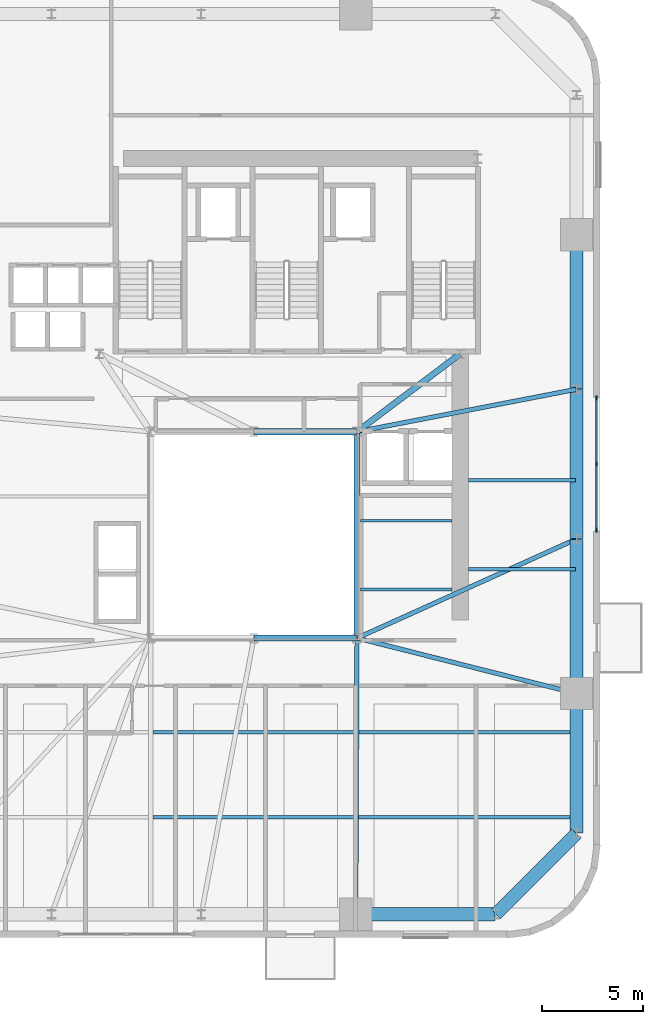
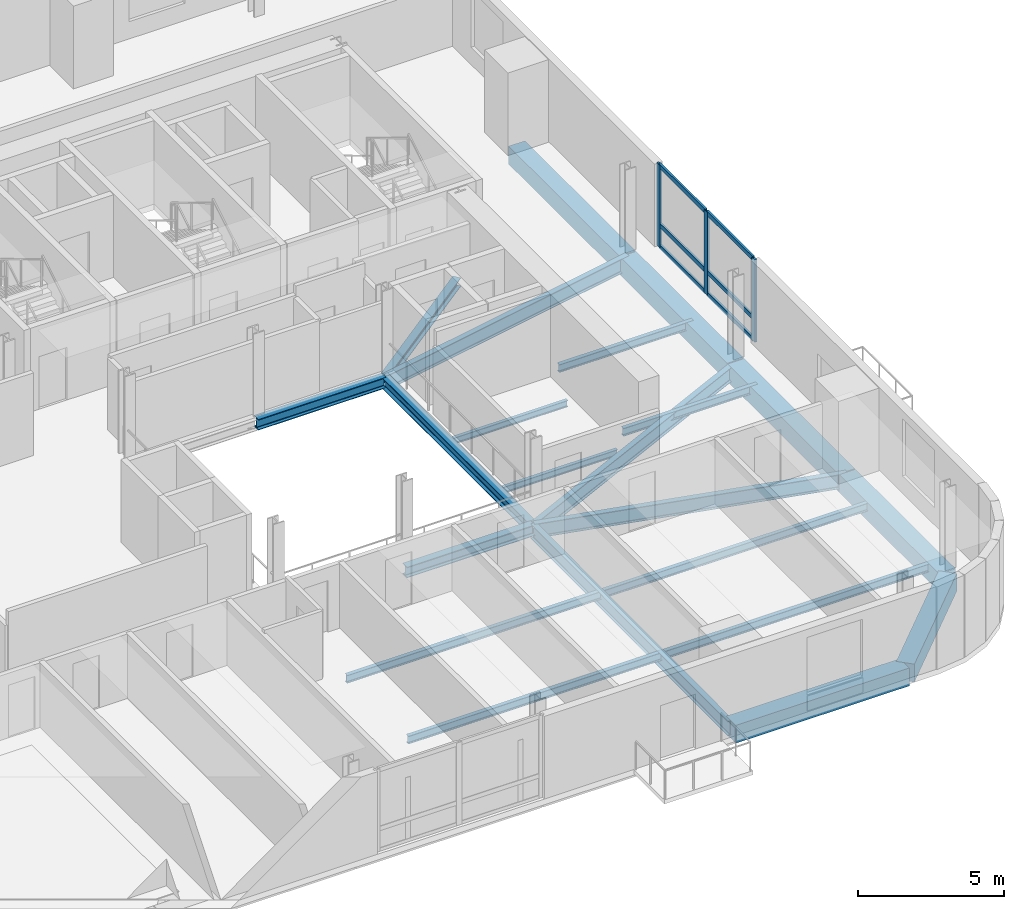
# One storey, part 3 of 14: 20 beams, 9 members, 1 element without a shape of its own.
"""IFC4 building model written with IfcOpenShell, lengths in metres."""

from ifc_helpers import new_model, si_unit, direction, frame, origin, origin_2d, place, context, subcontext, project, spatial, rectangle, i_section, extrude, source, transform, mapped, material, material_profile, profile_set, type_object, element, aggregate, save


model = new_model("IFC4")

# Units and contexts
model_context = context("Model", 3, precision=1e-05, world=origin(), true_north=direction((0.0, 1.0)))
body_context = subcontext(model_context, "Body", "Model", "MODEL_VIEW")
ifc_project = project(units=[si_unit("LENGTHUNIT", "METRE"), si_unit("AREAUNIT", "SQUARE_METRE"), si_unit("VOLUMEUNIT", "CUBIC_METRE"), si_unit("PLANEANGLEUNIT", "RADIAN"), si_unit("MASSUNIT", "GRAM", prefix="KILO")], contexts=[model_context])

# Site, building, storey
site_placement = place(None, origin())
site = spatial("IfcSite", under=ifc_project, at=site_placement, CompositionType="ELEMENT")
building_placement = place(site_placement, origin())
building = spatial("IfcBuilding", under=site, at=building_placement, Name="Vardaveli Station Tower", CompositionType="ELEMENT")
storey_placement = place(building_placement, frame((0.0, 0.0, 129.800048828125)))
storey = spatial("IfcBuildingStorey", under=building, at=storey_placement, Name="L33", CompositionType="ELEMENT", Elevation=129.800048828125)

# Beams
ifc_material_1 = material(Name="Structural steel S355J2", Category="steel")
ifc_material_profile_1 = material_profile(ifc_material_1, i_section(OverallWidth=0.300048828125, OverallDepth=0.449951171875, WebThickness=0.013916015625, FlangeThickness=0.02587890625, FilletRadius=0.027099609375, at=origin_2d()), Name="HEB 450")
ifc_profile_set_1 = profile_set([ifc_material_profile_1], Name="Structural steel S355J2")
beam_type_1 = type_object("IfcBeamType", Name="BM-HEB450", PredefinedType="BEAM", material=ifc_profile_set_1)
shared_shape_1 = source(origin(), body_context, "Body", "SweptSolid", [
    extrude(i_section(OverallWidth=0.300048828125, OverallDepth=0.449951171875, WebThickness=0.013916015625, FlangeThickness=0.02587890625, FilletRadius=0.027099609375, at=origin_2d()), origin(), (0.0, 0.0, 1.0), 5.059814453125),
])
for number, where, z_axis, x_axis, name in (
    (1, (36.320068359375, 16.60009765625, -0.465087890625), (1.0, 0.0, 0.0), (0.0, 1.0, 0.0), "ABM-L33-02"),
    (2, (41.3798828125, 26.800048828125, -0.465087890625), (-1.0, 0.0, 0.0), (0.0, -1.0, 0.0), "ABM-L33-04"),
):
    element("IfcBeam", number, at=place(storey_placement, frame(where, z_axis=z_axis, x_axis=x_axis)), inside=storey, type_object=beam_type_1, Name=name, PredefinedType="BEAM", context=body_context, shape_type="MappedRepresentation", body=[
        mapped(shared_shape_1, transform((0.0, 0.0, 0.0), scale=1.0)),
    ])
shared_shape_2 = source(origin(), body_context, "Body", "SweptSolid", [
    extrude(i_section(OverallWidth=0.300048828125, OverallDepth=0.449951171875, WebThickness=0.013916015625, FlangeThickness=0.02587890625, FilletRadius=0.027099609375, at=origin_2d()), origin(), (0.0, 0.0, 1.0), 10.159912109375),
])
beam_1_placement = place(storey_placement, frame((41.39990234375, 16.6201171875, -0.465087890625), z_axis=(0.0, 1.0, 0.0), x_axis=(-1.0, 0.0, 0.0)))
element("IfcBeam", 3, at=beam_1_placement, inside=storey, type_object=beam_type_1, Name="ABM-L33-03", PredefinedType="BEAM", context=body_context, shape_type="MappedRepresentation", body=[
    mapped(shared_shape_2, transform((0.0, 0.0, 0.0), scale=1.0)),
])
ifc_material_profile_2 = material_profile(ifc_material_1, i_section(OverallWidth=0.300048828125, OverallDepth=0.360107421875, WebThickness=0.012451171875, FlangeThickness=0.0224609375, FilletRadius=0.027099609375, at=origin_2d()), Name="HEB 360")
ifc_profile_set_2 = profile_set([ifc_material_profile_2], Name="Structural steel S355J2")
beam_type_2 = type_object("IfcBeamType", Name="BM-HEB360", PredefinedType="BEAM", material=ifc_profile_set_2)
shared_shape_3 = source(origin(), body_context, "Body", "SweptSolid", [
    extrude(i_section(OverallWidth=0.300048828125, OverallDepth=0.360107421875, WebThickness=0.012451171875, FlangeThickness=0.0224609375, FilletRadius=0.027099609375, at=origin_2d()), origin(), (0.0, 0.0, 1.0), 6.35009765625),
])
beam_2_placement = place(storey_placement, frame((41.416015625, 26.81201171875, -0.420166015625), z_axis=(0.798118337722, 0.602500721154, 0.0), x_axis=(-0.602500721154, 0.798118337722, 0.0)))
element("IfcBeam", 4, at=beam_2_placement, inside=storey, type_object=beam_type_2, Name="CBM-L33-02", PredefinedType="BEAM", context=body_context, shape_type="MappedRepresentation", body=[
    mapped(shared_shape_3, transform((0.0, 0.0, 0.0), scale=1.0)),
])
ifc_material_2 = material(Name="Precast concrete C45/55", Category="concrete")
ifc_material_profile_3 = material_profile(ifc_material_2, rectangle(XDim=0.64990234375, YDim=0.75, at=origin_2d()), Name="LPB 650x750")
ifc_profile_set_3 = profile_set([ifc_material_profile_3], Name="Precast concrete C45/55")
beam_type_3 = type_object("IfcBeamType", Name="BM-LPB-750", PredefinedType="BEAM", material=ifc_profile_set_3)
shared_shape_4 = source(origin(), body_context, "Body", "SweptSolid", [
    extrude(rectangle(XDim=0.64990234375, YDim=0.75, at=origin_2d()), origin(), (0.0, 0.0, 1.0), 7.60009765625),
])
for number, where, z_axis, x_axis, name in (
    (5, (52.25, 13.8798828125, -0.614990234375), (0.0, 1.0, 0.0), (-1.0, 0.0, 0.0), "RBM-L33-07"),
    (6, (52.25, 28.919921875, -0.614990234375), (0.0, 1.0, 0.0), (-1.0, 0.0, 0.0), "RBM-L33-09"),
):
    element("IfcBeam", number, at=place(storey_placement, frame(where, z_axis=z_axis, x_axis=x_axis)), inside=storey, type_object=beam_type_3, Name=name, PredefinedType="BEAM", context=body_context, shape_type="MappedRepresentation", body=[
        mapped(shared_shape_4, transform((0.0, 0.0, 0.0), scale=1.0)),
    ])
shared_shape_5 = source(origin(), body_context, "Body", "SweptSolid", [
    extrude(rectangle(XDim=0.64990234375, YDim=0.75, at=origin_2d()), origin(), (0.0, 0.0, 1.0), 7.35986328125),
])
beam_3_placement = place(storey_placement, frame((52.25, 21.52001953125, -0.614990234375), z_axis=(0.0, 1.0, 0.0), x_axis=(-1.0, 0.0, 0.0)))
element("IfcBeam", 7, at=beam_3_placement, inside=storey, type_object=beam_type_3, Name="RBM-L33-08", PredefinedType="BEAM", context=body_context, shape_type="MappedRepresentation", body=[
    mapped(shared_shape_5, transform((0.0, 0.0, 0.0), scale=1.0)),
])
shared_shape_6 = source(origin(), body_context, "Body", "SweptSolid", [
    extrude(rectangle(XDim=0.64990234375, YDim=0.75, at=origin_2d()), origin(), (0.0, 0.0, 1.0), 6.869873046875),
])
beam_4_placement = place(storey_placement, frame((41.360107421875, 2.949951171875, -0.614990234375), z_axis=(1.0, 0.0, 0.0), x_axis=(0.0, 1.0, 0.0)))
element("IfcBeam", 8, at=beam_4_placement, inside=storey, type_object=beam_type_3, Name="RBM-L33-04", PredefinedType="BEAM", context=body_context, shape_type="MappedRepresentation", body=[
    mapped(shared_shape_6, transform((0.0, 0.0, 0.0), scale=1.0)),
])
shared_shape_7 = source(origin(), body_context, "Body", "SweptSolid", [
    extrude(rectangle(XDim=0.64990234375, YDim=0.75, at=origin_2d()), origin(), (0.0, 0.0, 1.0), 5.61669921875),
])
beam_5_placement = place(storey_placement, frame((48.26416015625, 2.964111328125, -0.614990234375), z_axis=(0.707106781187, 0.707106781187, 0.0), x_axis=(-0.707106781187, 0.707106781187, 0.0)))
element("IfcBeam", 9, at=beam_5_placement, inside=storey, type_object=beam_type_3, Name="RBM-L33-05", PredefinedType="BEAM", context=body_context, shape_type="MappedRepresentation", body=[
    mapped(shared_shape_7, transform((0.0, 0.0, 0.0), scale=1.0)),
])
shared_shape_8 = source(origin(), body_context, "Body", "SweptSolid", [
    extrude(rectangle(XDim=0.64990234375, YDim=0.75, at=origin_2d()), origin(), (0.0, 0.0, 1.0), 6.8701171875),
])
beam_6_placement = place(storey_placement, frame((52.25, 6.969970703125, -0.614990234375), z_axis=(0.0, 1.0, 0.0), x_axis=(-1.0, 0.0, 0.0)))
element("IfcBeam", 10, at=beam_6_placement, inside=storey, type_object=beam_type_3, Name="RBM-L33-06", PredefinedType="BEAM", context=body_context, shape_type="MappedRepresentation", body=[
    mapped(shared_shape_8, transform((0.0, 0.0, 0.0), scale=1.0)),
])
ifc_material_profile_4 = material_profile(ifc_material_1, i_section(OverallWidth=0.159912109375, OverallDepth=0.330078125, WebThickness=0.007568359375, FlangeThickness=0.011474609375, FilletRadius=0.01806640625, at=origin_2d()), Name="IPE 330")
ifc_profile_set_4 = profile_set([ifc_material_profile_4], Name="Structural steel S355J2")
beam_type_4 = type_object("IfcBeamType", Name="BM-IPE330", PredefinedType="JOIST", material=ifc_profile_set_4)
shared_shape_9 = source(origin(), body_context, "Body", "SweptSolid", [
    extrude(i_section(OverallWidth=0.159912109375, OverallDepth=0.330078125, WebThickness=0.007568359375, FlangeThickness=0.011474609375, FilletRadius=0.01806640625, at=origin_2d()), origin(), (0.0, 0.0, 1.0), 20.89794921875),
])
for number, where, z_axis, x_axis, name in (
    (11, (31.31201171875, 7.75, -0.405029296875), (1.0, 0.0, 0.0), (0.0, 1.0, 0.0), "SJ-L33-S02"),
    (12, (31.31201171875, 11.949951171875, -0.405029296875), (1.0, 0.0, 0.0), (0.0, 1.0, 0.0), "SJ-L33-S04"),
):
    element("IfcBeam", number, at=place(storey_placement, frame(where, z_axis=z_axis, x_axis=x_axis)), inside=storey, type_object=beam_type_4, Name=name, PredefinedType="JOIST", context=body_context, shape_type="MappedRepresentation", body=[
        mapped(shared_shape_9, transform((0.0, 0.0, 0.0), scale=1.0)),
    ])
shared_shape_10 = source(origin(), body_context, "Body", "SweptSolid", [
    extrude(i_section(OverallWidth=0.159912109375, OverallDepth=0.330078125, WebThickness=0.007568359375, FlangeThickness=0.011474609375, FilletRadius=0.01806640625, at=origin_2d()), origin(), (0.0, 0.0, 1.0), 5.304931640625),
])
for number, where, z_axis, x_axis, name in (
    (13, (46.905029296875, 20.0, -0.405029296875), (1.0, 0.0, 0.0), (0.0, 1.0, 0.0), "SJ-L33-E07"),
    (14, (46.905029296875, 24.39990234375, -0.405029296875), (1.0, 0.0, 0.0), (0.0, 1.0, 0.0), "SJ-L33-E08"),
):
    element("IfcBeam", number, at=place(storey_placement, frame(where, z_axis=z_axis, x_axis=x_axis)), inside=storey, type_object=beam_type_4, Name=name, PredefinedType="JOIST", context=body_context, shape_type="MappedRepresentation", body=[
        mapped(shared_shape_10, transform((0.0, 0.0, 0.0), scale=1.0)),
    ])
ifc_material_profile_5 = material_profile(ifc_material_1, i_section(OverallWidth=0.135009765625, OverallDepth=0.27001953125, WebThickness=0.006591796875, FlangeThickness=0.01025390625, FilletRadius=0.014892578125, at=origin_2d()), Name="IPE 270")
ifc_profile_set_5 = profile_set([ifc_material_profile_5], Name="Structural steel S355J2")
beam_type_5 = type_object("IfcBeamType", Name="BM-IPE270", PredefinedType="BEAM", material=ifc_profile_set_5)
shared_shape_11 = source(origin(), body_context, "Body", "SweptSolid", [
    extrude(i_section(OverallWidth=0.135009765625, OverallDepth=0.27001953125, WebThickness=0.006591796875, FlangeThickness=0.01025390625, FilletRadius=0.014892578125, at=origin_2d()), origin(), (0.0, 0.0, 1.0), 4.530029296875),
])
for number, where, z_axis, x_axis, name in (
    (15, (41.56494140625, 19.0, -0.375), (1.0, 0.0, 0.0), (0.0, 1.0, 0.0), "TJ-L33-01"),
    (16, (41.56494140625, 22.39990234375, -0.375), (1.0, 0.0, 0.0), (0.0, 1.0, 0.0), "TJ-L33-02"),
):
    element("IfcBeam", number, at=place(storey_placement, frame(where, z_axis=z_axis, x_axis=x_axis)), inside=storey, type_object=beam_type_5, Name=name, PredefinedType="BEAM", context=body_context, shape_type="MappedRepresentation", body=[
        mapped(shared_shape_11, transform((0.0, 0.0, 0.0), scale=1.0)),
    ])
ifc_material_profile_6 = material_profile(ifc_material_1, i_section(OverallWidth=0.219970703125, OverallDepth=0.60009765625, WebThickness=0.011962890625, FlangeThickness=0.01904296875, FilletRadius=0.02392578125, at=origin_2d()), Name="IPE 600")
ifc_profile_set_6 = profile_set([ifc_material_profile_6], Name="Structural steel S355J2")
beam_type_6 = type_object("IfcBeamType", Name="BM-IPE600", PredefinedType="BEAM", material=ifc_profile_set_6)
shared_shape_12 = source(origin(), body_context, "Body", "SweptSolid", [
    extrude(i_section(OverallWidth=0.219970703125, OverallDepth=0.60009765625, WebThickness=0.011962890625, FlangeThickness=0.01904296875, FilletRadius=0.02392578125, at=origin_2d()), origin(), (0.0, 0.0, 1.0), 13.6103515625),
])
beam_7_placement = place(storey_placement, frame((41.340087890625, 2.969970703125, -0.5400390625), z_axis=(0.004394812886, 0.999990342763, 0.0), x_axis=(-0.999990342763, 0.004394812886, 0.0)))
element("IfcBeam", 17, at=beam_7_placement, inside=storey, type_object=beam_type_6, Name="GBM-L33-04", PredefinedType="BEAM", context=body_context, shape_type="MappedRepresentation", body=[
    mapped(shared_shape_12, transform((0.0, 0.0, 0.0), scale=1.0)),
])
shared_shape_13 = source(origin(), body_context, "Body", "SweptSolid", [
    extrude(i_section(OverallWidth=0.219970703125, OverallDepth=0.60009765625, WebThickness=0.011962890625, FlangeThickness=0.01904296875, FilletRadius=0.02392578125, at=origin_2d()), origin(), (0.0, 0.0, 1.0), 11.150634765625),
])
beam_8_placement = place(storey_placement, frame((52.230712890625, 13.864990234375, -0.5400390625), z_axis=(-0.969561465826, 0.244848042642, 0.0), x_axis=(-0.244848042642, -0.969561465826, 0.0)))
element("IfcBeam", 18, at=beam_8_placement, inside=storey, type_object=beam_type_6, Name="GBM-L33-05", PredefinedType="BEAM", context=body_context, shape_type="MappedRepresentation", body=[
    mapped(shared_shape_13, transform((0.0, 0.0, 0.0), scale=1.0)),
])
shared_shape_14 = source(origin(), body_context, "Body", "SweptSolid", [
    extrude(i_section(OverallWidth=0.219970703125, OverallDepth=0.60009765625, WebThickness=0.011962890625, FlangeThickness=0.01904296875, FilletRadius=0.02392578125, at=origin_2d()), origin(), (0.0, 0.0, 1.0), 11.864990234375),
])
beam_9_placement = place(storey_placement, frame((52.231689453125, 21.49169921875, -0.5400390625), z_axis=(-0.911369354756, -0.411589478985, 0.0), x_axis=(0.411589478985, -0.911369354756, 0.0)))
element("IfcBeam", 19, at=beam_9_placement, inside=storey, type_object=beam_type_6, Name="GBM-L33-06", PredefinedType="BEAM", context=body_context, shape_type="MappedRepresentation", body=[
    mapped(shared_shape_14, transform((0.0, 0.0, 0.0), scale=1.0)),
])
shared_shape_15 = source(origin(), body_context, "Body", "SweptSolid", [
    extrude(i_section(OverallWidth=0.219970703125, OverallDepth=0.60009765625, WebThickness=0.011962890625, FlangeThickness=0.01904296875, FilletRadius=0.02392578125, at=origin_2d()), origin(), (0.0, 0.0, 1.0), 11.011474609375),
])
beam_10_placement = place(storey_placement, frame((52.23046875, 28.896240234375, -0.5400390625), z_axis=(-0.981777849093, -0.190032247343, 0.0), x_axis=(0.190032247343, -0.981777849093, 0.0)))
element("IfcBeam", 20, at=beam_10_placement, inside=storey, type_object=beam_type_6, Name="GBM-L33-07", PredefinedType="BEAM", context=body_context, shape_type="MappedRepresentation", body=[
    mapped(shared_shape_15, transform((0.0, 0.0, 0.0), scale=1.0)),
])

# Curtain wall, members
ifc_material_3 = material(Name="Travertine stone and solar-control glass", Category="masonry")
curtain_wall_type = type_object("IfcCurtainWallType", Name="CW-SYS-2", PredefinedType="NOTDEFINED", material=ifc_material_3)
curtain_wall_placement = place(storey_placement, origin())
curtain_wall = element("IfcCurtainWall", 21, at=curtain_wall_placement, inside=storey, type_object=curtain_wall_type, Name="CW-L33-E", PredefinedType="NOTDEFINED")
ifc_material_4 = material(Name="Anodised aluminium alloy 6063-T6", Category="aluminium")
ifc_material_profile_7 = material_profile(ifc_material_4, rectangle(XDim=0.0849609375, YDim=0.179931640625, at=origin_2d()), Name="CWT 85x180")
ifc_profile_set_7 = profile_set([ifc_material_profile_7], Name="Anodised aluminium alloy 6063-T6")
member_type_1 = type_object("IfcMemberType", Name="CW-SYS-2-TRAN", PredefinedType="NOTDEFINED", material=ifc_profile_set_7)
shared_shape_16 = source(origin(), body_context, "Body", "SweptSolid", [
    extrude(rectangle(XDim=0.0849609375, YDim=0.179931640625, at=origin_2d()), origin(), (0.0, 0.0, 1.0), 3.172607421875),
])
member_1_placement = place(storey_placement, frame((53.239990234375, 25.242431640625, 0.04248046875), z_axis=(0.0, 1.0, 0.0), x_axis=(-1.0, 0.0, 0.0)))
member_1 = element("IfcMember", 22, at=member_1_placement, type_object=member_type_1, Name="CW-2 transom 2.1", ObjectType="TRANSOM", PredefinedType="USERDEFINED", context=body_context, shape_type="MappedRepresentation", body=[
    mapped(shared_shape_16, transform((0.0, 0.0, 0.0), scale=1.0)),
])
member_2_placement = place(storey_placement, frame((53.239990234375, 25.242431640625, 0.949951171875), z_axis=(0.0, 1.0, 0.0), x_axis=(-1.0, 0.0, 0.0)))
member_2 = element("IfcMember", 23, at=member_2_placement, type_object=member_type_1, Name="CW-2 transom 2.2", ObjectType="TRANSOM", PredefinedType="USERDEFINED", context=body_context, shape_type="MappedRepresentation", body=[
    mapped(shared_shape_16, transform((0.0, 0.0, 0.0), scale=1.0)),
])
member_3_placement = place(storey_placement, frame((53.239990234375, 25.242431640625, 3.41748046875), z_axis=(0.0, 1.0, 0.0), x_axis=(-1.0, 0.0, 0.0)))
member_3 = element("IfcMember", 24, at=member_3_placement, type_object=member_type_1, Name="CW-2 transom 2.3", ObjectType="TRANSOM", PredefinedType="USERDEFINED", context=body_context, shape_type="MappedRepresentation", body=[
    mapped(shared_shape_16, transform((0.0, 0.0, 0.0), scale=1.0)),
])
shared_shape_17 = source(origin(), body_context, "Body", "SweptSolid", [
    extrude(rectangle(XDim=0.0849609375, YDim=0.179931640625, at=origin_2d()), origin(), (0.0, 0.0, 1.0), 3.17236328125),
])
member_4_placement = place(storey_placement, frame((53.239990234375, 21.985107421875, 0.04248046875), z_axis=(0.0, 1.0, 0.0), x_axis=(-1.0, 0.0, 0.0)))
member_4 = element("IfcMember", 25, at=member_4_placement, type_object=member_type_1, Name="CW-2 transom 1.1", ObjectType="TRANSOM", PredefinedType="USERDEFINED", context=body_context, shape_type="MappedRepresentation", body=[
    mapped(shared_shape_17, transform((0.0, 0.0, 0.0), scale=1.0)),
])
member_5_placement = place(storey_placement, frame((53.239990234375, 21.985107421875, 0.949951171875), z_axis=(0.0, 1.0, 0.0), x_axis=(-1.0, 0.0, 0.0)))
member_5 = element("IfcMember", 26, at=member_5_placement, type_object=member_type_1, Name="CW-2 transom 1.2", ObjectType="TRANSOM", PredefinedType="USERDEFINED", context=body_context, shape_type="MappedRepresentation", body=[
    mapped(shared_shape_17, transform((0.0, 0.0, 0.0), scale=1.0)),
])
member_6_placement = place(storey_placement, frame((53.239990234375, 21.985107421875, 3.41748046875), z_axis=(0.0, 1.0, 0.0), x_axis=(-1.0, 0.0, 0.0)))
member_6 = element("IfcMember", 27, at=member_6_placement, type_object=member_type_1, Name="CW-2 transom 1.3", ObjectType="TRANSOM", PredefinedType="USERDEFINED", context=body_context, shape_type="MappedRepresentation", body=[
    mapped(shared_shape_17, transform((0.0, 0.0, 0.0), scale=1.0)),
])
ifc_material_profile_8 = material_profile(ifc_material_4, rectangle(XDim=0.0849609375, YDim=0.219970703125, at=origin_2d()), Name="CWM 85x220")
ifc_profile_set_8 = profile_set([ifc_material_profile_8], Name="Anodised aluminium alloy 6063-T6")
member_type_2 = type_object("IfcMemberType", Name="CW-SYS-2-MULL", PredefinedType="MULLION", material=ifc_profile_set_8)
shared_shape_18 = source(origin(), body_context, "Body", "SweptSolid", [
    extrude(rectangle(XDim=0.0849609375, YDim=0.219970703125, at=origin_2d()), origin(), (0.0, 0.0, 1.0), 3.4599609375),
])
member_7_placement = place(storey_placement, frame((53.239990234375, 21.9423828125, 0.0), z_axis=(0.0, 0.0, 1.0), x_axis=(-1.0, 0.0, 0.0)))
member_7 = element("IfcMember", 28, at=member_7_placement, type_object=member_type_2, Name="CW-2 mullion 1", PredefinedType="MULLION", context=body_context, shape_type="MappedRepresentation", body=[
    mapped(shared_shape_18, transform((0.0, 0.0, 0.0), scale=1.0)),
])
member_8_placement = place(storey_placement, frame((53.239990234375, 25.199951171875, 0.0), z_axis=(0.0, 0.0, 1.0), x_axis=(-1.0, 0.0, 0.0)))
member_8 = element("IfcMember", 29, at=member_8_placement, type_object=member_type_2, Name="CW-2 mullion 2", PredefinedType="MULLION", context=body_context, shape_type="MappedRepresentation", body=[
    mapped(shared_shape_18, transform((0.0, 0.0, 0.0), scale=1.0)),
])
member_9_placement = place(storey_placement, frame((53.239990234375, 28.45751953125, 0.0), z_axis=(0.0, 0.0, 1.0), x_axis=(-1.0, 0.0, 0.0)))
member_9 = element("IfcMember", 30, at=member_9_placement, type_object=member_type_2, Name="CW-2 mullion 3", PredefinedType="MULLION", context=body_context, shape_type="MappedRepresentation", body=[
    mapped(shared_shape_18, transform((0.0, 0.0, 0.0), scale=1.0)),
])
aggregate(curtain_wall, [member_7, member_8, member_9, member_4, member_5, member_6, member_1, member_2, member_3])

save(model, "model.ifc")
